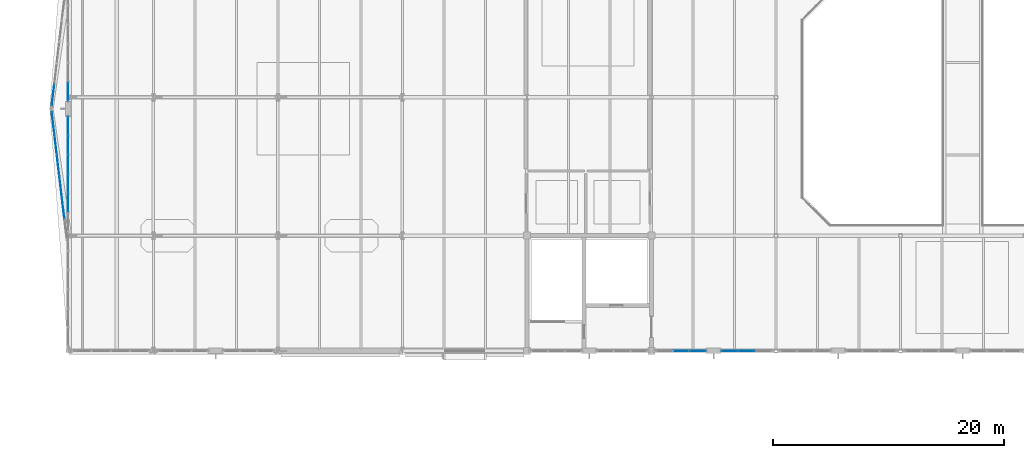
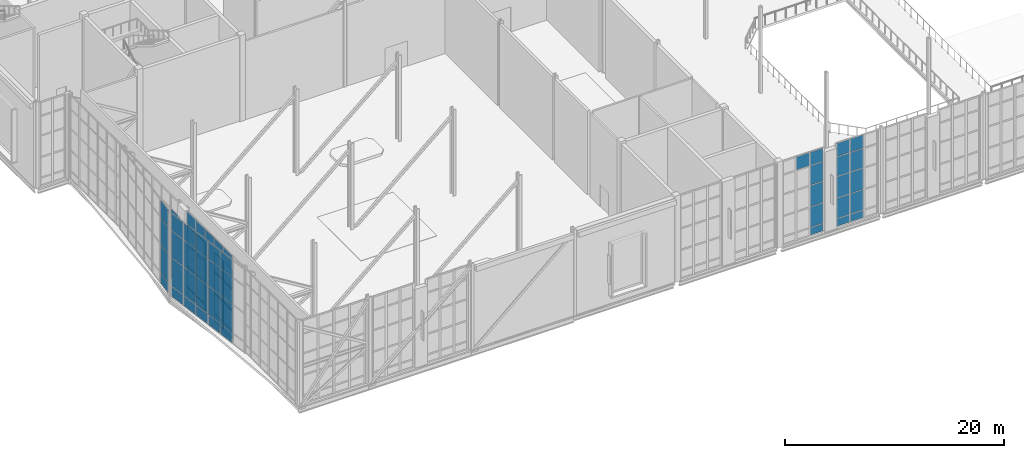
# One storey, part 63 of 100: 69 plates, 6 elements without a shape of their own.
"""IFC4 building model written with IfcOpenShell, lengths in metres."""

from ifc_helpers import new_model, si_unit, direction, frame, origin, origin_2d, place, context, subcontext, project, spatial, rectangle, extrude, material, layer, layer_set, type_object, element, aggregate, save


model = new_model("IFC4")

# Units and contexts
model_context = context("Model", 3, precision=1e-05, world=origin(), true_north=direction((0.0, 1.0)))
body_context = subcontext(model_context, "Body", "Model", "MODEL_VIEW")
ifc_project = project(units=[si_unit("LENGTHUNIT", "METRE"), si_unit("AREAUNIT", "SQUARE_METRE"), si_unit("VOLUMEUNIT", "CUBIC_METRE"), si_unit("PLANEANGLEUNIT", "RADIAN"), si_unit("MASSUNIT", "GRAM", prefix="KILO")], contexts=[model_context])

# Site, building, storey
site_placement = place(None, origin())
site = spatial("IfcSite", under=ifc_project, at=site_placement, CompositionType="ELEMENT")
building_placement = place(site_placement, origin())
building = spatial("IfcBuilding", under=site, at=building_placement, Name="Tasgan Crest Museum", CompositionType="ELEMENT")
storey_placement = place(building_placement, frame((0.0, 0.0, 14.39990234375)))
storey = spatial("IfcBuildingStorey", under=building, at=storey_placement, Name="L03", CompositionType="ELEMENT", Elevation=14.39990234375)

# Curtain wall, plate
ifc_material_1 = material(Name="Triple-Glazed Aluminium Curtain Wall", Category="aluminium")
ifc_layer_1 = layer(ifc_material_1, 0.179931640625, Name="CW-CANT-TIP-96")
ifc_layer_set_1 = layer_set([ifc_layer_1], Name="Triple-Glazed Aluminium Curtain Wall")
curtain_wall_type_1 = type_object("IfcCurtainWallType", Name="CW-CANT-TIP-96", PredefinedType="NOTDEFINED", material=ifc_layer_set_1)
curtain_wall_1_placement = place(storey_placement, origin())
curtain_wall_1 = element("IfcCurtainWall", 1, at=curtain_wall_1_placement, inside=storey, type_object=curtain_wall_type_1, Name="Curtain wall L03 138", PredefinedType="NOTDEFINED")
ifc_material_2 = material(Name="Insulated Spandrel Glass", Category="glass")
ifc_layer_2 = layer(ifc_material_2, 0.052001953125, Name="CW-PANEL-SPANDREL")
ifc_layer_set_2 = layer_set([ifc_layer_2], Name="Insulated Spandrel Glass")
plate_type_1 = type_object("IfcPlateType", Name="CW-PANEL-SPANDREL", PredefinedType="CURTAIN_PANEL", material=ifc_layer_set_2)
plate_1_placement = place(storey_placement, frame((3.39990234375, 62.492919921875, 0.06005859375), z_axis=(0.0, 0.0, 1.0), x_axis=(0.0, -1.0, 0.0)))
plate_1 = element("IfcPlate", 2, at=plate_1_placement, type_object=plate_type_1, Name="CW10 panel 12.1", PredefinedType="CURTAIN_PANEL", context=body_context, shape_type="SweptSolid", body=[
    extrude(rectangle(XDim=1.575927734375, YDim=0.028076171875, at=origin_2d()), origin(), (0.0, 0.0, 1.0), 0.81005859375),
])

# Curtain wall, plates
curtain_wall_2_placement = place(storey_placement, origin())
curtain_wall_2 = element("IfcCurtainWall", 3, at=curtain_wall_2_placement, inside=storey, type_object=curtain_wall_type_1, Name="Curtain wall L03 139", PredefinedType="NOTDEFINED")
plate_2_placement = place(storey_placement, frame((3.39990234375, 59.507080078125, 0.06005859375), z_axis=(0.0, 0.0, 1.0), x_axis=(0.0, -1.0, 0.0)))
plate_2 = element("IfcPlate", 4, at=plate_2_placement, type_object=plate_type_1, Name="CW10 panel 1.1", PredefinedType="CURTAIN_PANEL", context=body_context, shape_type="SweptSolid", body=[
    extrude(rectangle(XDim=1.575927734375, YDim=0.028076171875, at=origin_2d()), origin(), (0.0, 0.0, 1.0), 0.81005859375),
])
plate_3_placement = place(storey_placement, frame((3.39990234375, 57.856201171875, 0.06005859375), z_axis=(0.0, 0.0, 1.0), x_axis=(0.0, -1.0, 0.0)))
plate_3 = element("IfcPlate", 5, at=plate_3_placement, type_object=plate_type_1, Name="CW10 panel 2.1", PredefinedType="CURTAIN_PANEL", context=body_context, shape_type="SweptSolid", body=[
    extrude(rectangle(XDim=1.605712890625, YDim=0.028076171875, at=origin_2d()), origin(), (0.0, 0.0, 1.0), 0.81005859375),
])
plate_4_placement = place(storey_placement, frame((3.39990234375, 56.1904296875, 0.06005859375), z_axis=(0.0, 0.0, 1.0), x_axis=(0.0, -1.0, 0.0)))
plate_4 = element("IfcPlate", 6, at=plate_4_placement, type_object=plate_type_1, Name="CW10 panel 3.1", PredefinedType="CURTAIN_PANEL", context=body_context, shape_type="SweptSolid", body=[
    extrude(rectangle(XDim=1.605712890625, YDim=0.028076171875, at=origin_2d()), origin(), (0.0, 0.0, 1.0), 0.81005859375),
])
plate_5_placement = place(storey_placement, frame((3.39990234375, 54.524658203125, 0.06005859375), z_axis=(0.0, 0.0, 1.0), x_axis=(0.0, -1.0, 0.0)))
plate_5 = element("IfcPlate", 7, at=plate_5_placement, type_object=plate_type_1, Name="CW10 panel 4.1", PredefinedType="CURTAIN_PANEL", context=body_context, shape_type="SweptSolid", body=[
    extrude(rectangle(XDim=1.605712890625, YDim=0.028076171875, at=origin_2d()), origin(), (0.0, 0.0, 1.0), 0.81005859375),
])
plate_6_placement = place(storey_placement, frame((3.39990234375, 52.858642578125, 0.06005859375), z_axis=(0.0, 0.0, 1.0), x_axis=(0.0, -1.0, 0.0)))
plate_6 = element("IfcPlate", 8, at=plate_6_placement, type_object=plate_type_1, Name="CW10 panel 5.1", PredefinedType="CURTAIN_PANEL", context=body_context, shape_type="SweptSolid", body=[
    extrude(rectangle(XDim=1.605712890625, YDim=0.028076171875, at=origin_2d()), origin(), (0.0, 0.0, 1.0), 0.81005859375),
])

# Curtain wall, plate
ifc_material_3 = material(Name="Triple-Glazed Aluminium Curtain Wall", Category="aluminium")
ifc_layer_3 = layer(ifc_material_3, 0.179931640625, Name="CW-DRUM-X-96")
ifc_layer_set_3 = layer_set([ifc_layer_3], Name="Triple-Glazed Aluminium Curtain Wall")
curtain_wall_type_2 = type_object("IfcCurtainWallType", Name="CW-DRUM-X-96", PredefinedType="NOTDEFINED", material=ifc_layer_set_3)
curtain_wall_3_placement = place(storey_placement, origin())
curtain_wall_3 = element("IfcCurtainWall", 9, at=curtain_wall_3_placement, inside=storey, type_object=curtain_wall_type_2, Name="Curtain wall L03 145", PredefinedType="NOTDEFINED")
plate_7_placement = place(storey_placement, frame((58.00830078125, 40.0, 0.06005859375), z_axis=(0.0, 0.0, 1.0), x_axis=(1.0, 0.0, 0.0)))
plate_7 = element("IfcPlate", 10, at=plate_7_placement, type_object=plate_type_1, Name="CW06 panel 3.1", PredefinedType="CURTAIN_PANEL", context=body_context, shape_type="SweptSolid", body=[
    extrude(rectangle(XDim=1.373291015625, YDim=0.028076171875, at=origin_2d()), origin(), (0.0, 0.0, 1.0), 0.81005859375),
])

# Curtain wall, plates
curtain_wall_4_placement = place(storey_placement, origin())
curtain_wall_4 = element("IfcCurtainWall", 11, at=curtain_wall_4_placement, inside=storey, type_object=curtain_wall_type_2, Name="Curtain wall L03 146", PredefinedType="NOTDEFINED")
plate_8_placement = place(storey_placement, frame((60.791748046875, 40.0, 0.06005859375), z_axis=(0.0, 0.0, 1.0), x_axis=(1.0, 0.0, 0.0)))
plate_8 = element("IfcPlate", 12, at=plate_8_placement, type_object=plate_type_1, Name="CW06 panel 1.1", PredefinedType="CURTAIN_PANEL", context=body_context, shape_type="SweptSolid", body=[
    extrude(rectangle(XDim=1.373291015625, YDim=0.028076171875, at=origin_2d()), origin(), (0.0, 0.0, 1.0), 0.81005859375),
])
plate_9_placement = place(storey_placement, frame((62.239990234375, 40.0, 0.06005859375), z_axis=(0.0, 0.0, 1.0), x_axis=(1.0, 0.0, 0.0)))
plate_9 = element("IfcPlate", 13, at=plate_9_placement, type_object=plate_type_1, Name="CW06 panel 2.1", PredefinedType="CURTAIN_PANEL", context=body_context, shape_type="SweptSolid", body=[
    extrude(rectangle(XDim=1.4033203125, YDim=0.028076171875, at=origin_2d()), origin(), (0.0, 0.0, 1.0), 0.81005859375),
])

# Plate
ifc_material_4 = material(Name="Low-E Triple Glazing", Category="glass")
ifc_layer_4 = layer(ifc_material_4, 0.0439453125, Name="CW-PANEL-TRIPLE")
ifc_layer_set_4 = layer_set([ifc_layer_4], Name="Low-E Triple Glazing")
plate_type_2 = type_object("IfcPlateType", Name="CW-PANEL-TRIPLE", PredefinedType="CURTAIN_PANEL", material=ifc_layer_set_4)
plate_10_placement = place(storey_placement, frame((3.39990234375, 62.492919921875, 0.93017578125), z_axis=(0.0, 0.0, 1.0), x_axis=(0.0, -1.0, 0.0)))
plate_10 = element("IfcPlate", 14, at=plate_10_placement, type_object=plate_type_2, Name="CW10 panel 12.2", PredefinedType="CURTAIN_PANEL", context=body_context, shape_type="SweptSolid", body=[
    extrude(rectangle(XDim=1.575927734375, YDim=0.028076171875, at=origin_2d()), origin(), (0.0, 0.0, 1.0), 2.239990234375),
])

plate_11_placement = place(storey_placement, frame((3.39990234375, 62.492919921875, 3.22998046875), z_axis=(0.0, 0.0, 1.0), x_axis=(0.0, -1.0, 0.0)))
plate_11 = element("IfcPlate", 15, at=plate_11_placement, type_object=plate_type_2, Name="CW10 panel 12.3", PredefinedType="CURTAIN_PANEL", context=body_context, shape_type="SweptSolid", body=[
    extrude(rectangle(XDim=1.575927734375, YDim=0.028076171875, at=origin_2d()), origin(), (0.0, 0.0, 1.0), 2.340087890625),
])

plate_12_placement = place(storey_placement, frame((3.39990234375, 62.492919921875, 5.63037109375), z_axis=(0.0, 0.0, 1.0), x_axis=(0.0, -1.0, 0.0)))
plate_12 = element("IfcPlate", 16, at=plate_12_placement, type_object=plate_type_2, Name="CW10 panel 12.4", PredefinedType="CURTAIN_PANEL", context=body_context, shape_type="SweptSolid", body=[
    extrude(rectangle(XDim=1.575927734375, YDim=0.028076171875, at=origin_2d()), origin(), (0.0, 0.0, 1.0), 2.139892578125),
])

aggregate(curtain_wall_1, [plate_1, plate_10, plate_11, plate_12])

plate_13_placement = place(storey_placement, frame((3.39990234375, 59.507080078125, 0.93017578125), z_axis=(0.0, 0.0, 1.0), x_axis=(0.0, -1.0, 0.0)))
plate_13 = element("IfcPlate", 17, at=plate_13_placement, type_object=plate_type_2, Name="CW10 panel 1.2", PredefinedType="CURTAIN_PANEL", context=body_context, shape_type="SweptSolid", body=[
    extrude(rectangle(XDim=1.575927734375, YDim=0.028076171875, at=origin_2d()), origin(), (0.0, 0.0, 1.0), 2.239990234375),
])

plate_14_placement = place(storey_placement, frame((3.39990234375, 59.507080078125, 3.22998046875), z_axis=(0.0, 0.0, 1.0), x_axis=(0.0, -1.0, 0.0)))
plate_14 = element("IfcPlate", 18, at=plate_14_placement, type_object=plate_type_2, Name="CW10 panel 1.3", PredefinedType="CURTAIN_PANEL", context=body_context, shape_type="SweptSolid", body=[
    extrude(rectangle(XDim=1.575927734375, YDim=0.028076171875, at=origin_2d()), origin(), (0.0, 0.0, 1.0), 2.340087890625),
])

plate_15_placement = place(storey_placement, frame((3.39990234375, 59.507080078125, 5.63037109375), z_axis=(0.0, 0.0, 1.0), x_axis=(0.0, -1.0, 0.0)))
plate_15 = element("IfcPlate", 19, at=plate_15_placement, type_object=plate_type_2, Name="CW10 panel 1.4", PredefinedType="CURTAIN_PANEL", context=body_context, shape_type="SweptSolid", body=[
    extrude(rectangle(XDim=1.575927734375, YDim=0.028076171875, at=origin_2d()), origin(), (0.0, 0.0, 1.0), 2.139892578125),
])

plate_16_placement = place(storey_placement, frame((3.39990234375, 59.507080078125, 7.830078125), z_axis=(0.0, 0.0, 1.0), x_axis=(0.0, -1.0, 0.0)))
plate_16 = element("IfcPlate", 20, at=plate_16_placement, type_object=plate_type_2, Name="CW10 panel 1.5", PredefinedType="CURTAIN_PANEL", context=body_context, shape_type="SweptSolid", body=[
    extrude(rectangle(XDim=1.575927734375, YDim=0.028076171875, at=origin_2d()), origin(), (0.0, 0.0, 1.0), 1.469970703125),
])

plate_17_placement = place(storey_placement, frame((3.39990234375, 57.856201171875, 0.93017578125), z_axis=(0.0, 0.0, 1.0), x_axis=(0.0, -1.0, 0.0)))
plate_17 = element("IfcPlate", 21, at=plate_17_placement, type_object=plate_type_2, Name="CW10 panel 2.2", PredefinedType="CURTAIN_PANEL", context=body_context, shape_type="SweptSolid", body=[
    extrude(rectangle(XDim=1.605712890625, YDim=0.028076171875, at=origin_2d()), origin(), (0.0, 0.0, 1.0), 2.239990234375),
])

plate_18_placement = place(storey_placement, frame((3.39990234375, 57.856201171875, 3.22998046875), z_axis=(0.0, 0.0, 1.0), x_axis=(0.0, -1.0, 0.0)))
plate_18 = element("IfcPlate", 22, at=plate_18_placement, type_object=plate_type_2, Name="CW10 panel 2.3", PredefinedType="CURTAIN_PANEL", context=body_context, shape_type="SweptSolid", body=[
    extrude(rectangle(XDim=1.605712890625, YDim=0.028076171875, at=origin_2d()), origin(), (0.0, 0.0, 1.0), 2.340087890625),
])

plate_19_placement = place(storey_placement, frame((3.39990234375, 57.856201171875, 5.63037109375), z_axis=(0.0, 0.0, 1.0), x_axis=(0.0, -1.0, 0.0)))
plate_19 = element("IfcPlate", 23, at=plate_19_placement, type_object=plate_type_2, Name="CW10 panel 2.4", PredefinedType="CURTAIN_PANEL", context=body_context, shape_type="SweptSolid", body=[
    extrude(rectangle(XDim=1.605712890625, YDim=0.028076171875, at=origin_2d()), origin(), (0.0, 0.0, 1.0), 2.139892578125),
])

plate_20_placement = place(storey_placement, frame((3.39990234375, 57.856201171875, 7.830078125), z_axis=(0.0, 0.0, 1.0), x_axis=(0.0, -1.0, 0.0)))
plate_20 = element("IfcPlate", 24, at=plate_20_placement, type_object=plate_type_2, Name="CW10 panel 2.5", PredefinedType="CURTAIN_PANEL", context=body_context, shape_type="SweptSolid", body=[
    extrude(rectangle(XDim=1.605712890625, YDim=0.028076171875, at=origin_2d()), origin(), (0.0, 0.0, 1.0), 1.469970703125),
])

plate_21_placement = place(storey_placement, frame((3.39990234375, 56.1904296875, 0.93017578125), z_axis=(0.0, 0.0, 1.0), x_axis=(0.0, -1.0, 0.0)))
plate_21 = element("IfcPlate", 25, at=plate_21_placement, type_object=plate_type_2, Name="CW10 panel 3.2", PredefinedType="CURTAIN_PANEL", context=body_context, shape_type="SweptSolid", body=[
    extrude(rectangle(XDim=1.605712890625, YDim=0.028076171875, at=origin_2d()), origin(), (0.0, 0.0, 1.0), 2.239990234375),
])

plate_22_placement = place(storey_placement, frame((3.39990234375, 56.1904296875, 3.22998046875), z_axis=(0.0, 0.0, 1.0), x_axis=(0.0, -1.0, 0.0)))
plate_22 = element("IfcPlate", 26, at=plate_22_placement, type_object=plate_type_2, Name="CW10 panel 3.3", PredefinedType="CURTAIN_PANEL", context=body_context, shape_type="SweptSolid", body=[
    extrude(rectangle(XDim=1.605712890625, YDim=0.028076171875, at=origin_2d()), origin(), (0.0, 0.0, 1.0), 2.340087890625),
])

plate_23_placement = place(storey_placement, frame((3.39990234375, 56.1904296875, 5.63037109375), z_axis=(0.0, 0.0, 1.0), x_axis=(0.0, -1.0, 0.0)))
plate_23 = element("IfcPlate", 27, at=plate_23_placement, type_object=plate_type_2, Name="CW10 panel 3.4", PredefinedType="CURTAIN_PANEL", context=body_context, shape_type="SweptSolid", body=[
    extrude(rectangle(XDim=1.605712890625, YDim=0.028076171875, at=origin_2d()), origin(), (0.0, 0.0, 1.0), 2.139892578125),
])

plate_24_placement = place(storey_placement, frame((3.39990234375, 56.1904296875, 7.830078125), z_axis=(0.0, 0.0, 1.0), x_axis=(0.0, -1.0, 0.0)))
plate_24 = element("IfcPlate", 28, at=plate_24_placement, type_object=plate_type_2, Name="CW10 panel 3.5", PredefinedType="CURTAIN_PANEL", context=body_context, shape_type="SweptSolid", body=[
    extrude(rectangle(XDim=1.605712890625, YDim=0.028076171875, at=origin_2d()), origin(), (0.0, 0.0, 1.0), 1.469970703125),
])

plate_25_placement = place(storey_placement, frame((3.39990234375, 54.524658203125, 0.93017578125), z_axis=(0.0, 0.0, 1.0), x_axis=(0.0, -1.0, 0.0)))
plate_25 = element("IfcPlate", 29, at=plate_25_placement, type_object=plate_type_2, Name="CW10 panel 4.2", PredefinedType="CURTAIN_PANEL", context=body_context, shape_type="SweptSolid", body=[
    extrude(rectangle(XDim=1.605712890625, YDim=0.028076171875, at=origin_2d()), origin(), (0.0, 0.0, 1.0), 2.239990234375),
])

plate_26_placement = place(storey_placement, frame((3.39990234375, 54.524658203125, 3.22998046875), z_axis=(0.0, 0.0, 1.0), x_axis=(0.0, -1.0, 0.0)))
plate_26 = element("IfcPlate", 30, at=plate_26_placement, type_object=plate_type_2, Name="CW10 panel 4.3", PredefinedType="CURTAIN_PANEL", context=body_context, shape_type="SweptSolid", body=[
    extrude(rectangle(XDim=1.605712890625, YDim=0.028076171875, at=origin_2d()), origin(), (0.0, 0.0, 1.0), 2.340087890625),
])

plate_27_placement = place(storey_placement, frame((3.39990234375, 54.524658203125, 5.63037109375), z_axis=(0.0, 0.0, 1.0), x_axis=(0.0, -1.0, 0.0)))
plate_27 = element("IfcPlate", 31, at=plate_27_placement, type_object=plate_type_2, Name="CW10 panel 4.4", PredefinedType="CURTAIN_PANEL", context=body_context, shape_type="SweptSolid", body=[
    extrude(rectangle(XDim=1.605712890625, YDim=0.028076171875, at=origin_2d()), origin(), (0.0, 0.0, 1.0), 2.139892578125),
])

plate_28_placement = place(storey_placement, frame((3.39990234375, 54.524658203125, 7.830078125), z_axis=(0.0, 0.0, 1.0), x_axis=(0.0, -1.0, 0.0)))
plate_28 = element("IfcPlate", 32, at=plate_28_placement, type_object=plate_type_2, Name="CW10 panel 4.5", PredefinedType="CURTAIN_PANEL", context=body_context, shape_type="SweptSolid", body=[
    extrude(rectangle(XDim=1.605712890625, YDim=0.028076171875, at=origin_2d()), origin(), (0.0, 0.0, 1.0), 1.469970703125),
])

plate_29_placement = place(storey_placement, frame((3.39990234375, 52.858642578125, 0.93017578125), z_axis=(0.0, 0.0, 1.0), x_axis=(0.0, -1.0, 0.0)))
plate_29 = element("IfcPlate", 33, at=plate_29_placement, type_object=plate_type_2, Name="CW10 panel 5.2", PredefinedType="CURTAIN_PANEL", context=body_context, shape_type="SweptSolid", body=[
    extrude(rectangle(XDim=1.605712890625, YDim=0.028076171875, at=origin_2d()), origin(), (0.0, 0.0, 1.0), 2.239990234375),
])

plate_30_placement = place(storey_placement, frame((3.39990234375, 52.858642578125, 3.22998046875), z_axis=(0.0, 0.0, 1.0), x_axis=(0.0, -1.0, 0.0)))
plate_30 = element("IfcPlate", 34, at=plate_30_placement, type_object=plate_type_2, Name="CW10 panel 5.3", PredefinedType="CURTAIN_PANEL", context=body_context, shape_type="SweptSolid", body=[
    extrude(rectangle(XDim=1.605712890625, YDim=0.028076171875, at=origin_2d()), origin(), (0.0, 0.0, 1.0), 2.340087890625),
])

plate_31_placement = place(storey_placement, frame((3.39990234375, 52.858642578125, 5.63037109375), z_axis=(0.0, 0.0, 1.0), x_axis=(0.0, -1.0, 0.0)))
plate_31 = element("IfcPlate", 35, at=plate_31_placement, type_object=plate_type_2, Name="CW10 panel 5.4", PredefinedType="CURTAIN_PANEL", context=body_context, shape_type="SweptSolid", body=[
    extrude(rectangle(XDim=1.605712890625, YDim=0.028076171875, at=origin_2d()), origin(), (0.0, 0.0, 1.0), 2.139892578125),
])

plate_32_placement = place(storey_placement, frame((3.39990234375, 52.858642578125, 7.830078125), z_axis=(0.0, 0.0, 1.0), x_axis=(0.0, -1.0, 0.0)))
plate_32 = element("IfcPlate", 36, at=plate_32_placement, type_object=plate_type_2, Name="CW10 panel 5.5", PredefinedType="CURTAIN_PANEL", context=body_context, shape_type="SweptSolid", body=[
    extrude(rectangle(XDim=1.605712890625, YDim=0.028076171875, at=origin_2d()), origin(), (0.0, 0.0, 1.0), 1.469970703125),
])

aggregate(curtain_wall_2, [plate_2, plate_13, plate_14, plate_15, plate_16, plate_3, plate_17, plate_18, plate_19, plate_20, plate_4, plate_21, plate_22, plate_23, plate_24, plate_5, plate_25, plate_26, plate_27, plate_28, plate_6, plate_29, plate_30, plate_31, plate_32])

plate_33_placement = place(storey_placement, frame((56.56005859375, 40.0, 7.830078125), z_axis=(0.0, 0.0, 1.0), x_axis=(1.0, 0.0, 0.0)))
plate_33 = element("IfcPlate", 37, at=plate_33_placement, type_object=plate_type_2, Name="CW06 panel 2.5", PredefinedType="CURTAIN_PANEL", context=body_context, shape_type="SweptSolid", body=[
    extrude(rectangle(XDim=1.4033203125, YDim=0.028076171875, at=origin_2d()), origin(), (0.0, 0.0, 1.0), 1.469970703125),
])

plate_34_placement = place(storey_placement, frame((58.00830078125, 40.0, 0.93017578125), z_axis=(0.0, 0.0, 1.0), x_axis=(1.0, 0.0, 0.0)))
plate_34 = element("IfcPlate", 38, at=plate_34_placement, type_object=plate_type_2, Name="CW06 panel 3.2", PredefinedType="CURTAIN_PANEL", context=body_context, shape_type="SweptSolid", body=[
    extrude(rectangle(XDim=1.373291015625, YDim=0.028076171875, at=origin_2d()), origin(), (0.0, 0.0, 1.0), 2.239990234375),
])

plate_35_placement = place(storey_placement, frame((58.00830078125, 40.0, 3.22998046875), z_axis=(0.0, 0.0, 1.0), x_axis=(1.0, 0.0, 0.0)))
plate_35 = element("IfcPlate", 39, at=plate_35_placement, type_object=plate_type_2, Name="CW06 panel 3.3", PredefinedType="CURTAIN_PANEL", context=body_context, shape_type="SweptSolid", body=[
    extrude(rectangle(XDim=1.373291015625, YDim=0.028076171875, at=origin_2d()), origin(), (0.0, 0.0, 1.0), 2.340087890625),
])

plate_36_placement = place(storey_placement, frame((58.00830078125, 40.0, 5.63037109375), z_axis=(0.0, 0.0, 1.0), x_axis=(1.0, 0.0, 0.0)))
plate_36 = element("IfcPlate", 40, at=plate_36_placement, type_object=plate_type_2, Name="CW06 panel 3.4", PredefinedType="CURTAIN_PANEL", context=body_context, shape_type="SweptSolid", body=[
    extrude(rectangle(XDim=1.373291015625, YDim=0.028076171875, at=origin_2d()), origin(), (0.0, 0.0, 1.0), 2.139892578125),
])

plate_37_placement = place(storey_placement, frame((58.00830078125, 40.0, 7.830078125), z_axis=(0.0, 0.0, 1.0), x_axis=(1.0, 0.0, 0.0)))
plate_37 = element("IfcPlate", 41, at=plate_37_placement, type_object=plate_type_2, Name="CW06 panel 3.5", PredefinedType="CURTAIN_PANEL", context=body_context, shape_type="SweptSolid", body=[
    extrude(rectangle(XDim=1.373291015625, YDim=0.028076171875, at=origin_2d()), origin(), (0.0, 0.0, 1.0), 1.469970703125),
])

aggregate(curtain_wall_3, [plate_33, plate_7, plate_34, plate_35, plate_36, plate_37])

plate_38_placement = place(storey_placement, frame((60.791748046875, 40.0, 0.93017578125), z_axis=(0.0, 0.0, 1.0), x_axis=(1.0, 0.0, 0.0)))
plate_38 = element("IfcPlate", 42, at=plate_38_placement, type_object=plate_type_2, Name="CW06 panel 1.2", PredefinedType="CURTAIN_PANEL", context=body_context, shape_type="SweptSolid", body=[
    extrude(rectangle(XDim=1.373291015625, YDim=0.028076171875, at=origin_2d()), origin(), (0.0, 0.0, 1.0), 2.239990234375),
])

plate_39_placement = place(storey_placement, frame((60.791748046875, 40.0, 3.22998046875), z_axis=(0.0, 0.0, 1.0), x_axis=(1.0, 0.0, 0.0)))
plate_39 = element("IfcPlate", 43, at=plate_39_placement, type_object=plate_type_2, Name="CW06 panel 1.3", PredefinedType="CURTAIN_PANEL", context=body_context, shape_type="SweptSolid", body=[
    extrude(rectangle(XDim=1.373291015625, YDim=0.028076171875, at=origin_2d()), origin(), (0.0, 0.0, 1.0), 2.340087890625),
])

plate_40_placement = place(storey_placement, frame((60.791748046875, 40.0, 5.63037109375), z_axis=(0.0, 0.0, 1.0), x_axis=(1.0, 0.0, 0.0)))
plate_40 = element("IfcPlate", 44, at=plate_40_placement, type_object=plate_type_2, Name="CW06 panel 1.4", PredefinedType="CURTAIN_PANEL", context=body_context, shape_type="SweptSolid", body=[
    extrude(rectangle(XDim=1.373291015625, YDim=0.028076171875, at=origin_2d()), origin(), (0.0, 0.0, 1.0), 2.139892578125),
])

plate_41_placement = place(storey_placement, frame((60.791748046875, 40.0, 7.830078125), z_axis=(0.0, 0.0, 1.0), x_axis=(1.0, 0.0, 0.0)))
plate_41 = element("IfcPlate", 45, at=plate_41_placement, type_object=plate_type_2, Name="CW06 panel 1.5", PredefinedType="CURTAIN_PANEL", context=body_context, shape_type="SweptSolid", body=[
    extrude(rectangle(XDim=1.373291015625, YDim=0.028076171875, at=origin_2d()), origin(), (0.0, 0.0, 1.0), 1.469970703125),
])

plate_42_placement = place(storey_placement, frame((62.239990234375, 40.0, 0.93017578125), z_axis=(0.0, 0.0, 1.0), x_axis=(1.0, 0.0, 0.0)))
plate_42 = element("IfcPlate", 46, at=plate_42_placement, type_object=plate_type_2, Name="CW06 panel 2.2", PredefinedType="CURTAIN_PANEL", context=body_context, shape_type="SweptSolid", body=[
    extrude(rectangle(XDim=1.4033203125, YDim=0.028076171875, at=origin_2d()), origin(), (0.0, 0.0, 1.0), 2.239990234375),
])

plate_43_placement = place(storey_placement, frame((62.239990234375, 40.0, 3.22998046875), z_axis=(0.0, 0.0, 1.0), x_axis=(1.0, 0.0, 0.0)))
plate_43 = element("IfcPlate", 47, at=plate_43_placement, type_object=plate_type_2, Name="CW06 panel 2.3", PredefinedType="CURTAIN_PANEL", context=body_context, shape_type="SweptSolid", body=[
    extrude(rectangle(XDim=1.4033203125, YDim=0.028076171875, at=origin_2d()), origin(), (0.0, 0.0, 1.0), 2.340087890625),
])

plate_44_placement = place(storey_placement, frame((62.239990234375, 40.0, 5.63037109375), z_axis=(0.0, 0.0, 1.0), x_axis=(1.0, 0.0, 0.0)))
plate_44 = element("IfcPlate", 48, at=plate_44_placement, type_object=plate_type_2, Name="CW06 panel 2.4", PredefinedType="CURTAIN_PANEL", context=body_context, shape_type="SweptSolid", body=[
    extrude(rectangle(XDim=1.4033203125, YDim=0.028076171875, at=origin_2d()), origin(), (0.0, 0.0, 1.0), 2.139892578125),
])

plate_45_placement = place(storey_placement, frame((62.239990234375, 40.0, 7.830078125), z_axis=(0.0, 0.0, 1.0), x_axis=(1.0, 0.0, 0.0)))
plate_45 = element("IfcPlate", 49, at=plate_45_placement, type_object=plate_type_2, Name="CW06 panel 2.5", PredefinedType="CURTAIN_PANEL", context=body_context, shape_type="SweptSolid", body=[
    extrude(rectangle(XDim=1.4033203125, YDim=0.028076171875, at=origin_2d()), origin(), (0.0, 0.0, 1.0), 1.469970703125),
])

aggregate(curtain_wall_4, [plate_8, plate_38, plate_39, plate_40, plate_41, plate_9, plate_42, plate_43, plate_44, plate_45])

# Curtain wall, plates
curtain_wall_5_placement = place(storey_placement, origin())
curtain_wall_5 = element("IfcCurtainWall", 50, at=curtain_wall_5_placement, inside=storey, type_object=curtain_wall_type_1, Name="Cantilevered prow curtain wall L03 PROW-S", PredefinedType="NOTDEFINED")
plate_46_placement = place(storey_placement, frame((2.969970703125, 52.387451171875, 0.06005859375), z_axis=(0.0, 0.0, 1.0), x_axis=(-0.117564672774, 0.993065228329, 0.0)))
plate_46 = element("IfcPlate", 51, at=plate_46_placement, type_object=plate_type_2, Name="CW10 panel 2.1", PredefinedType="CURTAIN_PANEL", context=body_context, shape_type="SweptSolid", body=[
    extrude(rectangle(XDim=1.811279296875, YDim=0.028076171875, at=origin_2d()), origin(), (0.0, 0.0, 1.0), 1.110107421875),
])
plate_47_placement = place(storey_placement, frame((2.969970703125, 52.387451171875, 1.22998046875), z_axis=(0.0, 0.0, 1.0), x_axis=(-0.117564672774, 0.993065228329, 0.0)))
plate_47 = element("IfcPlate", 52, at=plate_47_placement, type_object=plate_type_2, Name="CW10 panel 2.2", PredefinedType="CURTAIN_PANEL", context=body_context, shape_type="SweptSolid", body=[
    extrude(rectangle(XDim=1.811279296875, YDim=0.028076171875, at=origin_2d()), origin(), (0.0, 0.0, 1.0), 3.139892578125),
])
plate_48_placement = place(storey_placement, frame((2.969970703125, 52.387451171875, 4.43017578125), z_axis=(0.0, 0.0, 1.0), x_axis=(-0.117564672774, 0.993065228329, 0.0)))
plate_48 = element("IfcPlate", 53, at=plate_48_placement, type_object=plate_type_2, Name="CW10 panel 2.3", PredefinedType="CURTAIN_PANEL", context=body_context, shape_type="SweptSolid", body=[
    extrude(rectangle(XDim=1.811279296875, YDim=0.028076171875, at=origin_2d()), origin(), (0.0, 0.0, 1.0), 2.93994140625),
])
plate_49_placement = place(storey_placement, frame((2.969970703125, 52.387451171875, 7.429931640625), z_axis=(0.0, 0.0, 1.0), x_axis=(-0.117564672774, 0.993065228329, 0.0)))
plate_49 = element("IfcPlate", 54, at=plate_49_placement, type_object=plate_type_2, Name="CW10 panel 2.4", PredefinedType="CURTAIN_PANEL", context=body_context, shape_type="SweptSolid", body=[
    extrude(rectangle(XDim=1.811279296875, YDim=0.028076171875, at=origin_2d()), origin(), (0.0, 0.0, 1.0), 1.8701171875),
])
plate_50_placement = place(storey_placement, frame((2.75, 54.245849609375, 0.06005859375), z_axis=(0.0, 0.0, 1.0), x_axis=(-0.117564672774, 0.993065228329, 0.0)))
plate_50 = element("IfcPlate", 55, at=plate_50_placement, type_object=plate_type_2, Name="CW10 panel 3.1", PredefinedType="CURTAIN_PANEL", context=body_context, shape_type="SweptSolid", body=[
    extrude(rectangle(XDim=1.811279296875, YDim=0.028076171875, at=origin_2d()), origin(), (0.0, 0.0, 1.0), 1.110107421875),
])
plate_51_placement = place(storey_placement, frame((2.75, 54.245849609375, 1.22998046875), z_axis=(0.0, 0.0, 1.0), x_axis=(-0.117564672774, 0.993065228329, 0.0)))
plate_51 = element("IfcPlate", 56, at=plate_51_placement, type_object=plate_type_2, Name="CW10 panel 3.2", PredefinedType="CURTAIN_PANEL", context=body_context, shape_type="SweptSolid", body=[
    extrude(rectangle(XDim=1.811279296875, YDim=0.028076171875, at=origin_2d()), origin(), (0.0, 0.0, 1.0), 3.139892578125),
])
plate_52_placement = place(storey_placement, frame((2.75, 54.245849609375, 4.43017578125), z_axis=(0.0, 0.0, 1.0), x_axis=(-0.117564672774, 0.993065228329, 0.0)))
plate_52 = element("IfcPlate", 57, at=plate_52_placement, type_object=plate_type_2, Name="CW10 panel 3.3", PredefinedType="CURTAIN_PANEL", context=body_context, shape_type="SweptSolid", body=[
    extrude(rectangle(XDim=1.811279296875, YDim=0.028076171875, at=origin_2d()), origin(), (0.0, 0.0, 1.0), 2.93994140625),
])
plate_53_placement = place(storey_placement, frame((2.75, 54.245849609375, 7.429931640625), z_axis=(0.0, 0.0, 1.0), x_axis=(-0.117564672774, 0.993065228329, 0.0)))
plate_53 = element("IfcPlate", 58, at=plate_53_placement, type_object=plate_type_2, Name="CW10 panel 3.4", PredefinedType="CURTAIN_PANEL", context=body_context, shape_type="SweptSolid", body=[
    extrude(rectangle(XDim=1.811279296875, YDim=0.028076171875, at=origin_2d()), origin(), (0.0, 0.0, 1.0), 1.8701171875),
])
plate_54_placement = place(storey_placement, frame((2.530029296875, 56.104248046875, 0.06005859375), z_axis=(0.0, 0.0, 1.0), x_axis=(-0.117564672774, 0.993065228329, 0.0)))
plate_54 = element("IfcPlate", 59, at=plate_54_placement, type_object=plate_type_2, Name="CW10 panel 4.1", PredefinedType="CURTAIN_PANEL", context=body_context, shape_type="SweptSolid", body=[
    extrude(rectangle(XDim=1.811279296875, YDim=0.028076171875, at=origin_2d()), origin(), (0.0, 0.0, 1.0), 1.110107421875),
])
plate_55_placement = place(storey_placement, frame((2.530029296875, 56.104248046875, 1.22998046875), z_axis=(0.0, 0.0, 1.0), x_axis=(-0.117564672774, 0.993065228329, 0.0)))
plate_55 = element("IfcPlate", 60, at=plate_55_placement, type_object=plate_type_2, Name="CW10 panel 4.2", PredefinedType="CURTAIN_PANEL", context=body_context, shape_type="SweptSolid", body=[
    extrude(rectangle(XDim=1.811279296875, YDim=0.028076171875, at=origin_2d()), origin(), (0.0, 0.0, 1.0), 3.139892578125),
])
plate_56_placement = place(storey_placement, frame((2.530029296875, 56.104248046875, 4.43017578125), z_axis=(0.0, 0.0, 1.0), x_axis=(-0.117564672774, 0.993065228329, 0.0)))
plate_56 = element("IfcPlate", 61, at=plate_56_placement, type_object=plate_type_2, Name="CW10 panel 4.3", PredefinedType="CURTAIN_PANEL", context=body_context, shape_type="SweptSolid", body=[
    extrude(rectangle(XDim=1.811279296875, YDim=0.028076171875, at=origin_2d()), origin(), (0.0, 0.0, 1.0), 2.93994140625),
])
plate_57_placement = place(storey_placement, frame((2.530029296875, 56.104248046875, 7.429931640625), z_axis=(0.0, 0.0, 1.0), x_axis=(-0.117564672774, 0.993065228329, 0.0)))
plate_57 = element("IfcPlate", 62, at=plate_57_placement, type_object=plate_type_2, Name="CW10 panel 4.4", PredefinedType="CURTAIN_PANEL", context=body_context, shape_type="SweptSolid", body=[
    extrude(rectangle(XDim=1.811279296875, YDim=0.028076171875, at=origin_2d()), origin(), (0.0, 0.0, 1.0), 1.8701171875),
])
plate_58_placement = place(storey_placement, frame((2.31005859375, 57.96240234375, 0.06005859375), z_axis=(0.0, 0.0, 1.0), x_axis=(-0.117564672774, 0.993065228329, 0.0)))
plate_58 = element("IfcPlate", 63, at=plate_58_placement, type_object=plate_type_2, Name="CW10 panel 5.1", PredefinedType="CURTAIN_PANEL", context=body_context, shape_type="SweptSolid", body=[
    extrude(rectangle(XDim=1.811279296875, YDim=0.028076171875, at=origin_2d()), origin(), (0.0, 0.0, 1.0), 1.110107421875),
])
plate_59_placement = place(storey_placement, frame((2.31005859375, 57.96240234375, 1.22998046875), z_axis=(0.0, 0.0, 1.0), x_axis=(-0.117564672774, 0.993065228329, 0.0)))
plate_59 = element("IfcPlate", 64, at=plate_59_placement, type_object=plate_type_2, Name="CW10 panel 5.2", PredefinedType="CURTAIN_PANEL", context=body_context, shape_type="SweptSolid", body=[
    extrude(rectangle(XDim=1.811279296875, YDim=0.028076171875, at=origin_2d()), origin(), (0.0, 0.0, 1.0), 3.139892578125),
])
plate_60_placement = place(storey_placement, frame((2.31005859375, 57.96240234375, 4.43017578125), z_axis=(0.0, 0.0, 1.0), x_axis=(-0.117564672774, 0.993065228329, 0.0)))
plate_60 = element("IfcPlate", 65, at=plate_60_placement, type_object=plate_type_2, Name="CW10 panel 5.3", PredefinedType="CURTAIN_PANEL", context=body_context, shape_type="SweptSolid", body=[
    extrude(rectangle(XDim=1.811279296875, YDim=0.028076171875, at=origin_2d()), origin(), (0.0, 0.0, 1.0), 2.93994140625),
])
plate_61_placement = place(storey_placement, frame((2.31005859375, 57.96240234375, 7.429931640625), z_axis=(0.0, 0.0, 1.0), x_axis=(-0.117564672774, 0.993065228329, 0.0)))
plate_61 = element("IfcPlate", 66, at=plate_61_placement, type_object=plate_type_2, Name="CW10 panel 5.4", PredefinedType="CURTAIN_PANEL", context=body_context, shape_type="SweptSolid", body=[
    extrude(rectangle(XDim=1.811279296875, YDim=0.028076171875, at=origin_2d()), origin(), (0.0, 0.0, 1.0), 1.8701171875),
])
plate_62_placement = place(storey_placement, frame((2.091796875, 59.805908203125, 0.06005859375), z_axis=(0.0, 0.0, 1.0), x_axis=(-0.117564672774, 0.993065228329, 0.0)))
plate_62 = element("IfcPlate", 67, at=plate_62_placement, type_object=plate_type_2, Name="CW10 panel 6.1", PredefinedType="CURTAIN_PANEL", context=body_context, shape_type="SweptSolid", body=[
    extrude(rectangle(XDim=1.78125, YDim=0.028076171875, at=origin_2d()), origin(), (0.0, 0.0, 1.0), 1.110107421875),
])
plate_63_placement = place(storey_placement, frame((2.091796875, 59.805908203125, 1.22998046875), z_axis=(0.0, 0.0, 1.0), x_axis=(-0.117564672774, 0.993065228329, 0.0)))
plate_63 = element("IfcPlate", 68, at=plate_63_placement, type_object=plate_type_2, Name="CW10 panel 6.2", PredefinedType="CURTAIN_PANEL", context=body_context, shape_type="SweptSolid", body=[
    extrude(rectangle(XDim=1.78125, YDim=0.028076171875, at=origin_2d()), origin(), (0.0, 0.0, 1.0), 3.139892578125),
])
plate_64_placement = place(storey_placement, frame((2.091796875, 59.805908203125, 4.43017578125), z_axis=(0.0, 0.0, 1.0), x_axis=(-0.117564672774, 0.993065228329, 0.0)))
plate_64 = element("IfcPlate", 69, at=plate_64_placement, type_object=plate_type_2, Name="CW10 panel 6.3", PredefinedType="CURTAIN_PANEL", context=body_context, shape_type="SweptSolid", body=[
    extrude(rectangle(XDim=1.78125, YDim=0.028076171875, at=origin_2d()), origin(), (0.0, 0.0, 1.0), 2.93994140625),
])
plate_65_placement = place(storey_placement, frame((2.091796875, 59.805908203125, 7.429931640625), z_axis=(0.0, 0.0, 1.0), x_axis=(-0.117564672774, 0.993065228329, 0.0)))
plate_65 = element("IfcPlate", 70, at=plate_65_placement, type_object=plate_type_2, Name="CW10 panel 6.4", PredefinedType="CURTAIN_PANEL", context=body_context, shape_type="SweptSolid", body=[
    extrude(rectangle(XDim=1.78125, YDim=0.028076171875, at=origin_2d()), origin(), (0.0, 0.0, 1.0), 1.8701171875),
])
aggregate(curtain_wall_5, [plate_46, plate_47, plate_48, plate_49, plate_50, plate_51, plate_52, plate_53, plate_54, plate_55, plate_56, plate_57, plate_58, plate_59, plate_60, plate_61, plate_62, plate_63, plate_64, plate_65])

curtain_wall_6_placement = place(storey_placement, origin())
curtain_wall_6 = element("IfcCurtainWall", 71, at=curtain_wall_6_placement, inside=storey, type_object=curtain_wall_type_1, Name="Cantilevered prow curtain wall L03 PROW-N", PredefinedType="NOTDEFINED")
plate_66_placement = place(storey_placement, frame((2.091796875, 62.194091796875, 0.06005859375), z_axis=(0.0, 0.0, 1.0), x_axis=(0.117564672774, 0.993065228329, 0.0)))
plate_66 = element("IfcPlate", 72, at=plate_66_placement, type_object=plate_type_2, Name="CW10 panel 1.1", PredefinedType="CURTAIN_PANEL", context=body_context, shape_type="SweptSolid", body=[
    extrude(rectangle(XDim=1.78125, YDim=0.028076171875, at=origin_2d()), origin(), (0.0, 0.0, 1.0), 1.110107421875),
])
plate_67_placement = place(storey_placement, frame((2.091796875, 62.194091796875, 1.22998046875), z_axis=(0.0, 0.0, 1.0), x_axis=(0.117564672774, 0.993065228329, 0.0)))
plate_67 = element("IfcPlate", 73, at=plate_67_placement, type_object=plate_type_2, Name="CW10 panel 1.2", PredefinedType="CURTAIN_PANEL", context=body_context, shape_type="SweptSolid", body=[
    extrude(rectangle(XDim=1.78125, YDim=0.028076171875, at=origin_2d()), origin(), (0.0, 0.0, 1.0), 3.139892578125),
])
plate_68_placement = place(storey_placement, frame((2.091796875, 62.194091796875, 4.43017578125), z_axis=(0.0, 0.0, 1.0), x_axis=(0.117564672774, 0.993065228329, 0.0)))
plate_68 = element("IfcPlate", 74, at=plate_68_placement, type_object=plate_type_2, Name="CW10 panel 1.3", PredefinedType="CURTAIN_PANEL", context=body_context, shape_type="SweptSolid", body=[
    extrude(rectangle(XDim=1.78125, YDim=0.028076171875, at=origin_2d()), origin(), (0.0, 0.0, 1.0), 2.93994140625),
])
plate_69_placement = place(storey_placement, frame((2.091796875, 62.194091796875, 7.429931640625), z_axis=(0.0, 0.0, 1.0), x_axis=(0.117564672774, 0.993065228329, 0.0)))
plate_69 = element("IfcPlate", 75, at=plate_69_placement, type_object=plate_type_2, Name="CW10 panel 1.4", PredefinedType="CURTAIN_PANEL", context=body_context, shape_type="SweptSolid", body=[
    extrude(rectangle(XDim=1.78125, YDim=0.028076171875, at=origin_2d()), origin(), (0.0, 0.0, 1.0), 1.8701171875),
])
aggregate(curtain_wall_6, [plate_66, plate_67, plate_68, plate_69])

save(model, "model.ifc")
